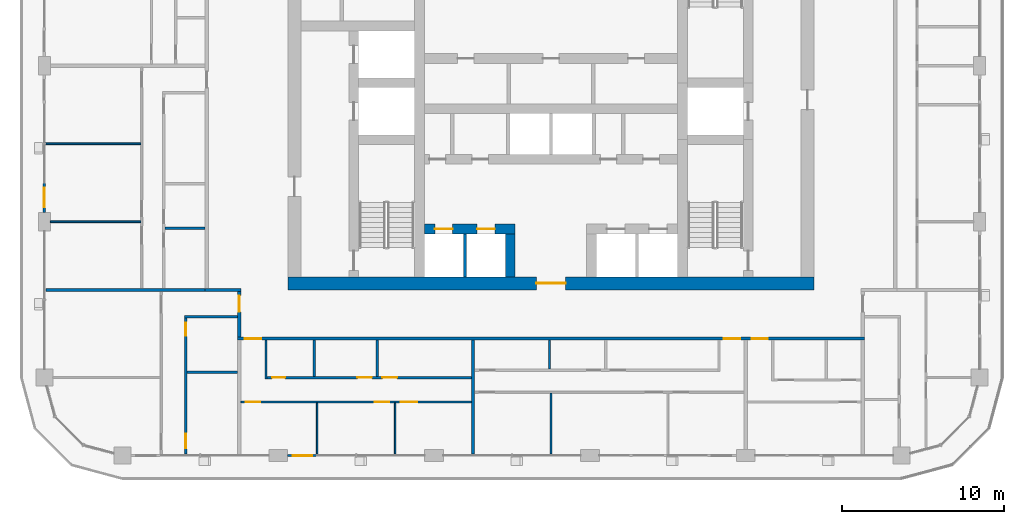
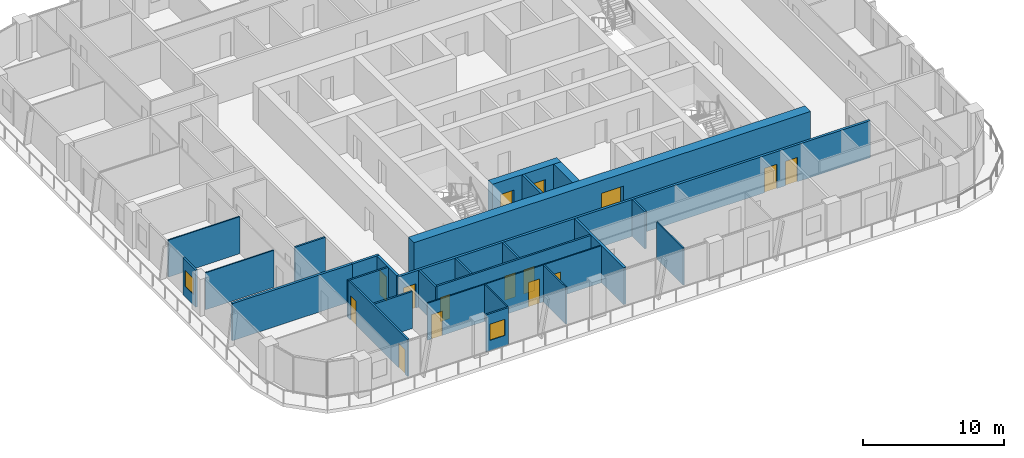
# One storey, part 9 of 22: 26 walls, 15 doors, 2 windows, 17 openings.
"""IFC4 building model written with IfcOpenShell, lengths in metres."""

import ifcopenshell
import ifcopenshell.guid

model = None  # the IFC model being written
_history = None  # IfcOwnerHistory: only IFC2X3 demands one
_inside = {}  # id of a spatial element -> (the spatial element, [elements in it])
_under = {}  # id of a project, library or spatial element -> (it, [spatial elements below it])
_declared = {}  # id of a project -> (the project, [libraries it declares])
_typed = {}  # id of a type object -> (the type object, [elements of that type])
_made_of = {}  # id of a material, layer set ... -> (it, [elements and type objects made of it])


def new_model(schema):
    """Start an empty IFC model of exactly this schema.

    Asked for "IFC4X3", IfcOpenShell would pick the latest addendum, in which some entities
    have other attributes; the version numbers below select the first issue.
    IFC2X3 requires an IfcOwnerHistory on every rooted entity: one is made here for all.
    """
    global model, _history
    if schema == "IFC4X3":
        model = ifcopenshell.file(schema_version=(4, 3, 0, 0))
    else:
        model = ifcopenshell.file(schema=schema)
    _inside.clear()
    _under.clear()
    _declared.clear()
    _typed.clear()
    _made_of.clear()
    _history = None
    if model.schema == "IFC2X3":
        org = make("IfcOrganization", Name="unknown")
        user = make(
            "IfcPersonAndOrganization",
            ThePerson=make("IfcPerson", FamilyName="unknown"),
            TheOrganization=org,
        )
        app = make(
            "IfcApplication",
            ApplicationDeveloper=org,
            Version="unknown",
            ApplicationFullName="unknown",
            ApplicationIdentifier="unknown",
        )
        _history = make(
            "IfcOwnerHistory",
            OwningUser=user,
            OwningApplication=app,
            ChangeAction="ADDED",
            CreationDate=0,
        )
    return model


def make(cls, **values):
    """One entity of the class cls with the attributes given. An attribute that is None is left unset."""
    return model.create_entity(
        cls, **{name: value for name, value in values.items() if value is not None}
    )


def rooted(cls, **values):
    """An entity with a GlobalId (a new one), such as an element, a storey or a relation."""
    return make(cls, GlobalId=ifcopenshell.guid.new(), OwnerHistory=_history, **values)


def si_unit(unit_type, name, prefix=None):
    """IfcSIUnit, for example si_unit("LENGTHUNIT", "METRE", prefix="MILLI")."""
    return make("IfcSIUnit", UnitType=unit_type, Prefix=prefix, Name=name)


def assignment(units):
    """IfcUnitAssignment: the units of a project."""
    return None if units is None else make("IfcUnitAssignment", Units=units)


def point(xyz):
    """IfcCartesianPoint."""
    return None if xyz is None else make("IfcCartesianPoint", Coordinates=xyz)


def direction(xyz):
    """IfcDirection."""
    return None if xyz is None else make("IfcDirection", DirectionRatios=xyz)


def frame(location, z_axis=None, x_axis=None):
    """IfcAxis2Placement3D, a coordinate frame: its origin and axes. An axis left out is left unset."""
    return make(
        "IfcAxis2Placement3D",
        Location=point(location),
        Axis=direction(z_axis),
        RefDirection=direction(x_axis),
    )


def frame_2d(location, x_axis=None):
    """IfcAxis2Placement2D, a coordinate frame in the plane: its origin and x axis."""
    return make(
        "IfcAxis2Placement2D", Location=point(location), RefDirection=direction(x_axis)
    )


def origin():
    """The frame at (0, 0, 0) with its axes left unset."""
    return frame((0.0, 0.0, 0.0))


def place(relative_to, where):
    """IfcLocalPlacement: puts the frame where relative to a parent placement (None: the world)."""
    return make(
        "IfcLocalPlacement", PlacementRelTo=relative_to, RelativePlacement=where
    )


def context(
    kind, dimensions, precision=None, world=None, true_north=None, identifier=None
):
    """IfcGeometricRepresentationContext, for example the 3D "Model" context."""
    return make(
        "IfcGeometricRepresentationContext",
        ContextIdentifier=identifier,
        ContextType=kind,
        CoordinateSpaceDimension=dimensions,
        Precision=precision,
        WorldCoordinateSystem=world,
        TrueNorth=true_north,
    )


def subcontext(parent, identifier, kind, view, scale=None):
    """IfcGeometricRepresentationSubContext, for example "Body" below "Model"."""
    return make(
        "IfcGeometricRepresentationSubContext",
        ContextIdentifier=identifier,
        ContextType=kind,
        ParentContext=parent,
        TargetScale=scale,
        TargetView=view,
    )


def project(units=None, contexts=None):
    """IfcProject with its units and contexts."""
    return rooted(
        "IfcProject",
        Name="project",
        RepresentationContexts=contexts,
        UnitsInContext=assignment(units),
    )


def spatial(cls, under=None, at=None, **own):
    """A site, building, storey or space (cls), placed at a placement, below another one or the project."""
    s = rooted(cls, ObjectPlacement=at, **own)
    if under is not None:
        _under.setdefault(under.id(), (under, []))[1].append(s)
    return s


def profile(cls, at=None, kind="AREA", **sizes):
    """A parametric profile (cls). Its sizes go by their IFC names, for example OverallWidth=200.0."""
    return make(cls, ProfileType=kind, Position=at, **sizes)


def rectangle(**sizes):
    """IfcRectangleProfileDef."""
    return profile("IfcRectangleProfileDef", **sizes)


def extrude(swept, where, along, depth):
    """IfcExtrudedAreaSolid: the profile swept, set in the frame where, extruded along a direction by depth."""
    return make(
        "IfcExtrudedAreaSolid",
        SweptArea=swept,
        Position=where,
        ExtrudedDirection=direction(along),
        Depth=depth,
    )


def shape(context_of_items, identifier, shape_type, items):
    """IfcShapeRepresentation: the items that make up one representation, for example the "Body"."""
    return make(
        "IfcShapeRepresentation",
        ContextOfItems=context_of_items,
        RepresentationIdentifier=identifier,
        RepresentationType=shape_type,
        Items=items,
    )


def material(Name=None, Category=None):
    """IfcMaterial."""
    return make("IfcMaterial", Name=Name, Category=Category)


def layer(
    of_material, thickness, ventilated=None, Name=None, Category=None, Priority=None
):
    """IfcMaterialLayer: one layer of a wall or slab, of a material (None: an air gap)."""
    return make(
        "IfcMaterialLayer",
        Material=of_material,
        LayerThickness=thickness,
        IsVentilated=ventilated,
        Name=Name,
        Category=Category,
        Priority=Priority,
    )


def layer_set(layers, Name=None):
    """IfcMaterialLayerSet."""
    return make("IfcMaterialLayerSet", MaterialLayers=layers, LayerSetName=Name)


def made_of(thing, what):
    """Note that an element or type object is made of a material, layer set ...; save() writes the relation."""
    if what is not None:
        _made_of.setdefault(what.id(), (what, []))[1].append(thing)
    return thing


def type_object(cls, material=None, **own):
    """A type object (cls), such as IfcWallType, which elements share."""
    return made_of(rooted(cls, **own), material)


def element(
    cls,
    number,
    at=None,
    inside=None,
    cuts=None,
    type_object=None,
    material=None,
    context=None,
    identifier="Body",
    shape_type=None,
    held_by="IfcProductDefinitionShape",
    body=None,
    shapes=None,
    **own,
):
    """One element of the class cls, such as IfcWall. Its Tag is "e" and its number.

    at: its placement. inside: the storey or other place that contains it. cuts: it is an
    opening in that element (IfcRelVoidsElement). A single representation is given by context,
    identifier, shape_type and body (its items); several are given by shapes. held_by: the class
    of the entity that holds the representations. save() writes the other relations.
    """
    e = rooted(cls, Tag="e%d" % number, ObjectPlacement=at, **own)
    if body is not None:
        shapes = [shape(context, identifier, shape_type, body)]
    if shapes is not None:
        e.Representation = make(held_by, Representations=shapes)
    if inside is not None:
        _inside.setdefault(inside.id(), (inside, []))[1].append(e)
    if cuts is not None:
        rooted(
            "IfcRelVoidsElement", RelatingBuildingElement=cuts, RelatedOpeningElement=e
        )
    if type_object is not None:
        _typed.setdefault(type_object.id(), (type_object, []))[1].append(e)
    return made_of(e, material)


def fill(opening, filler):
    """IfcRelFillsElement: the door or window that sits in an opening."""
    return rooted(
        "IfcRelFillsElement",
        RelatingOpeningElement=opening,
        RelatedBuildingElement=filler,
    )


def aggregate(whole, parts):
    """IfcRelAggregates: a whole, such as a stair, and the parts it consists of."""
    return rooted("IfcRelAggregates", RelatingObject=whole, RelatedObjects=parts)


def save(model, path):
    """Write the relations noted so far, then the file.

    IfcRelAggregates (storeys below a building ...), IfcRelContainedInSpatialStructure (elements
    in a storey), IfcRelDefinesByType, IfcRelAssociatesMaterial and IfcRelDeclares: one each for
    every whole, place, type object, material and project.
    """
    for whole, parts in _under.values():
        aggregate(whole, parts)
    for where, things in _inside.values():
        rooted(
            "IfcRelContainedInSpatialStructure",
            RelatedElements=things,
            RelatingStructure=where,
        )
    for kind, things in _typed.values():
        rooted("IfcRelDefinesByType", RelatedObjects=things, RelatingType=kind)
    for what, things in _made_of.values():
        rooted("IfcRelAssociatesMaterial", RelatedObjects=things, RelatingMaterial=what)
    for by, libraries in _declared.values():
        rooted("IfcRelDeclares", RelatingContext=by, RelatedDefinitions=libraries)
    model.write(path)


model = new_model("IFC4")

# Units and contexts
model_context = context("Model", 3, precision=1e-05, world=origin(), true_north=direction((0.0, 1.0)))
body_context = subcontext(model_context, "Body", "Model", "MODEL_VIEW")
ifc_project = project(units=[si_unit("LENGTHUNIT", "METRE"), si_unit("AREAUNIT", "SQUARE_METRE"), si_unit("VOLUMEUNIT", "CUBIC_METRE"), si_unit("PLANEANGLEUNIT", "RADIAN"), si_unit("MASSUNIT", "GRAM", prefix="KILO")], contexts=[model_context])

# Site, building, storey
site_placement = place(None, origin())
site = spatial("IfcSite", under=ifc_project, at=site_placement, CompositionType="ELEMENT")
building_placement = place(site_placement, origin())
building = spatial("IfcBuilding", under=site, at=building_placement, Name="Madar Terraces", CompositionType="ELEMENT")
storey_placement = place(building_placement, frame((0.0, 0.0, 122.60009765625)))
storey = spatial("IfcBuildingStorey", under=building, at=storey_placement, Name="L31", CompositionType="ELEMENT", Elevation=122.60009765625)

# Wall, openings, doors
ifc_material_1 = material(Name="Concrete C70/85", Category="concrete")
ifc_layer_1 = layer(ifc_material_1, 0.60009765625)
ifc_layer_set_1 = layer_set([ifc_layer_1], Name="Concrete C70/85 (CIW3 RC wall 600)")
wall_type_1 = type_object("IfcWallType", Name="CIW3 RC wall 600", PredefinedType="SHEAR", material=ifc_layer_set_1)
wall_1_placement = place(storey_placement, frame((23.39990234375, 18.75, 0.0), z_axis=(0.0, 0.0, 1.0), x_axis=(1.0, 0.0, 0.0)))
wall_1 = element("IfcWall", 1, at=wall_1_placement, inside=storey, type_object=wall_type_1, Name="CORE SHAFT WALL", PredefinedType="SHEAR", context=body_context, shape_type="SweptSolid", body=[
    extrude(rectangle(XDim=5.60009765625, YDim=0.60009765625, at=frame_2d((2.800048828125, 0.0))), origin(), (0.0, 0.0, 1.0), 3.199951171875),
])
opening_1_placement = place(wall_1_placement, frame((0.64990234375, 0.0, 0.0)))
opening_1 = element("IfcOpeningElement", 2, at=opening_1_placement, cuts=wall_1, Name="Opening LD", PredefinedType="OPENING", context=body_context, shape_type="SweptSolid", body=[
    extrude(rectangle(XDim=1.10009765625, YDim=2.10009765625, at=frame_2d((0.550048828125, 1.050048828125))), frame((0.0, 0.31005859375, 0.0), z_axis=(0.0, -1.0, 0.0), x_axis=(1.0, 0.0, 0.0)), (0.0, 0.0, 1.0), 0.6201171875),
])
opening_2_placement = place(wall_1_placement, frame((3.25, 0.0, 0.0)))
opening_2 = element("IfcOpeningElement", 3, at=opening_2_placement, cuts=wall_1, Name="Opening LD", PredefinedType="OPENING", context=body_context, shape_type="SweptSolid", body=[
    extrude(rectangle(XDim=1.10009765625, YDim=2.10009765625, at=frame_2d((0.550048828125, 1.050048828125))), frame((0.0, 0.31005859375, 0.0), z_axis=(0.0, -1.0, 0.0), x_axis=(1.0, 0.0, 0.0)), (0.0, 0.0, 1.0), 0.6201171875),
])
ifc_material_2 = material(Name="Stainless steel panel", Category="steel")
door_type_1 = type_object("IfcDoorType", Name="Lift landing door 1100 x 2100", OperationType="DOUBLE_DOOR_SLIDING", PredefinedType="DOOR", material=ifc_material_2)
door_1_placement = place(opening_1_placement, origin())
door_1 = element("IfcDoor", 4, at=door_1_placement, inside=storey, type_object=door_type_1, Name="LIFT LANDING DOOR", OperationType="DOUBLE_DOOR_SLIDING", OverallHeight=2.10009765625, OverallWidth=1.10009765625, PredefinedType="DOOR", context=body_context, shape_type="SweptSolid", body=[
    extrude(rectangle(XDim=1.10009765625, YDim=2.10009765625, at=frame_2d((0.550048828125, 1.050048828125))), frame((0.0, 0.02490234375, 0.0), z_axis=(0.0, -1.0, 0.0), x_axis=(1.0, 0.0, 0.0)), (0.0, 0.0, 1.0), 0.050048828125),
])
fill(opening_1, door_1)
door_2_placement = place(opening_2_placement, origin())
door_2 = element("IfcDoor", 5, at=door_2_placement, inside=storey, type_object=door_type_1, Name="LIFT LANDING DOOR", OperationType="DOUBLE_DOOR_SLIDING", OverallHeight=2.10009765625, OverallWidth=1.10009765625, PredefinedType="DOOR", context=body_context, shape_type="SweptSolid", body=[
    extrude(rectangle(XDim=1.10009765625, YDim=2.10009765625, at=frame_2d((0.550048828125, 1.050048828125))), frame((0.0, 0.02490234375, 0.0), z_axis=(0.0, -1.0, 0.0), x_axis=(1.0, 0.0, 0.0)), (0.0, 0.0, 1.0), 0.050048828125),
])
fill(opening_2, door_2)

# Wall
wall_2_placement = place(storey_placement, frame((28.699951171875, 15.800048828125, 0.0), z_axis=(0.0, 0.0, 1.0), x_axis=(0.0, 1.0, 0.0)))
element("IfcWall", 6, at=wall_2_placement, inside=storey, type_object=wall_type_1, Name="CORE SHAFT WALL", PredefinedType="SHEAR", context=body_context, shape_type="SweptSolid", body=[
    extrude(rectangle(XDim=2.64990234375, YDim=0.60009765625, at=frame_2d((1.324951171875, 0.0))), origin(), (0.0, 0.0, 1.0), 3.199951171875),
])

# Wall, opening, door
ifc_material_3 = material(Name="Concrete C70/85", Category="concrete")
ifc_layer_2 = layer(ifc_material_3, 0.800048828125)
ifc_layer_set_2 = layer_set([ifc_layer_2], Name="Concrete C70/85 (CRW3 RC wall 800)")
wall_type_2 = type_object("IfcWallType", Name="CRW3 RC wall 800", PredefinedType="SHEAR", material=ifc_layer_set_2)
wall_3_placement = place(storey_placement, frame((15.0, 15.39990234375, 0.0), z_axis=(0.0, 0.0, 1.0), x_axis=(1.0, 0.0, 0.0)))
wall_3 = element("IfcWall", 7, at=wall_3_placement, inside=storey, type_object=wall_type_2, Name="CORE OUTER WALL", PredefinedType="SHEAR", context=body_context, shape_type="SweptSolid", body=[
    extrude(rectangle(XDim=32.39990234375, YDim=0.800048828125, at=frame_2d((16.199951171875, 0.0))), origin(), (0.0, 0.0, 1.0), 3.199951171875),
])
opening_3_placement = place(wall_3_placement, frame((15.300048828125, 0.0, 0.0)))
opening_3 = element("IfcOpeningElement", 8, at=opening_3_placement, cuts=wall_3, Name="Opening KD1", PredefinedType="OPENING", context=body_context, shape_type="SweptSolid", body=[
    extrude(rectangle(XDim=1.800048828125, YDim=2.10009765625, at=frame_2d((0.89990234375, 1.050048828125))), frame((0.0, 0.409912109375, 0.0), z_axis=(0.0, -1.0, 0.0), x_axis=(1.0, 0.0, 0.0)), (0.0, 0.0, 1.0), 0.820068359375),
])
ifc_material_4 = material(Name="Steel door leaf", Category="steel")
door_type_2 = type_object("IfcDoorType", Name="Lobby door pair 1800 x 2100", OperationType="DOUBLE_DOOR_SINGLE_SWING", PredefinedType="DOOR", material=ifc_material_4)
door_3_placement = place(opening_3_placement, frame((1.800048828125, 0.0, 0.0), z_axis=(0.0, 0.0, 1.0), x_axis=(-1.0, 0.0, 0.0)))
door_3 = element("IfcDoor", 9, at=door_3_placement, inside=storey, type_object=door_type_2, Name="LIFT LOBBY DOOR", OperationType="DOUBLE_DOOR_SINGLE_SWING", OverallHeight=2.10009765625, OverallWidth=1.800048828125, PredefinedType="DOOR", context=body_context, shape_type="SweptSolid", body=[
    extrude(rectangle(XDim=1.800048828125, YDim=2.10009765625, at=frame_2d((0.89990234375, 1.050048828125))), frame((0.0, 0.02490234375, 0.0), z_axis=(0.0, -1.0, 0.0), x_axis=(1.0, 0.0, 0.0)), (0.0, 0.0, 1.0), 0.050048828125),
])
fill(opening_3, door_3)

# Wall
ifc_material_5 = material(Name="Concrete C40/50", Category="concrete")
ifc_layer_3 = layer(ifc_material_5, 0.199951171875)
ifc_layer_set_3 = layer_set([ifc_layer_3], Name="Core shaft dividing wall 200 C40/50")
wall_type_3 = type_object("IfcWallType", Name="Core shaft dividing wall 200 C40/50", PredefinedType="SOLIDWALL", material=ifc_layer_set_3)
wall_4_placement = place(storey_placement, frame((25.89990234375, 15.800048828125, 0.0), z_axis=(0.0, 0.0, 1.0), x_axis=(0.0, 1.0, 0.0)))
element("IfcWall", 10, at=wall_4_placement, inside=storey, type_object=wall_type_3, Name="SHAFT DIVIDING WALL", PredefinedType="SOLIDWALL", context=body_context, shape_type="SweptSolid", body=[
    extrude(rectangle(XDim=2.64990234375, YDim=0.199951171875, at=frame_2d((1.324951171875, 0.0))), origin(), (0.0, 0.0, 1.0), 3.199951171875),
])

# Wall, opening, window
ifc_material_6 = material(Name="Aluminium composite panel, black, over insulated backing", Category="aluminium")
ifc_layer_4 = layer(ifc_material_6, 0.14990234375)
ifc_layer_set_4 = layer_set([ifc_layer_4], Name="Facade bay panel 150")
wall_type_4 = type_object("IfcWallType", Name="Facade bay panel 150", PredefinedType="SOLIDWALL", material=ifc_layer_set_4)
wall_5_placement = place(storey_placement, frame((14.97509765625, 4.800048828125, 0.0), z_axis=(0.0, 0.0, 1.0), x_axis=(1.0, 0.0, 0.0)))
wall_5 = element("IfcWall", 11, at=wall_5_placement, inside=storey, type_object=wall_type_4, Name="Facade bay panel", PredefinedType="SOLIDWALL", context=body_context, shape_type="SweptSolid", body=[
    extrude(rectangle(XDim=1.824951171875, YDim=0.14990234375, at=frame_2d((0.91259765625, 0.0))), origin(), (0.0, 0.0, 1.0), 3.199951171875),
])
opening_4_placement = place(wall_5_placement, frame((0.3125, 0.0, 0.89990234375)))
opening_4 = element("IfcOpeningElement", 12, at=opening_4_placement, cuts=wall_5, Name="Opening W1", PredefinedType="OPENING", context=body_context, shape_type="SweptSolid", body=[
    extrude(rectangle(XDim=1.199951171875, YDim=1.39990234375, at=frame_2d((0.60009765625, 0.699951171875))), frame((0.0, 0.0849609375, 0.0), z_axis=(0.0, -1.0, 0.0), x_axis=(1.0, 0.0, 0.0)), (0.0, 0.0, 1.0), 0.169921875),
])
ifc_material_7 = material(Name="Glass, clear, with black aluminium frame", Category="aluminium")
window_type = type_object("IfcWindowType", Name="Vent window 1200 x 1400", PartitioningType="SINGLE_PANEL", PredefinedType="WINDOW", material=ifc_material_7)
window_1_placement = place(opening_4_placement, origin())
window_1 = element("IfcWindow", 13, at=window_1_placement, inside=storey, type_object=window_type, Name="Operable vent window", OverallHeight=1.39990234375, OverallWidth=1.199951171875, PartitioningType="SINGLE_PANEL", PredefinedType="WINDOW", context=body_context, shape_type="SweptSolid", body=[
    extrude(rectangle(XDim=1.199951171875, YDim=1.39990234375, at=frame_2d((0.60009765625, 0.699951171875))), frame((0.0, 0.030029296875, 0.0), z_axis=(0.0, -1.0, 0.0), x_axis=(1.0, 0.0, 0.0)), (0.0, 0.0, 1.0), 0.06005859375),
])
fill(opening_4, window_1)

wall_6_placement = place(storey_placement, frame((0.0, 21.60009765625, 0.0), z_axis=(0.0, 0.0, 1.0), x_axis=(0.0, -1.0, 0.0)))
wall_6 = element("IfcWall", 14, at=wall_6_placement, inside=storey, type_object=wall_type_4, Name="Facade bay panel", PredefinedType="SOLIDWALL", context=body_context, shape_type="SweptSolid", body=[
    extrude(rectangle(XDim=1.8251953125, YDim=0.14990234375, at=frame_2d((0.91259765625, 0.0))), origin(), (0.0, 0.0, 1.0), 3.199951171875),
])
opening_5_placement = place(wall_6_placement, frame((0.3125, 0.0, 0.89990234375)))
opening_5 = element("IfcOpeningElement", 15, at=opening_5_placement, cuts=wall_6, Name="Opening W1", PredefinedType="OPENING", context=body_context, shape_type="SweptSolid", body=[
    extrude(rectangle(XDim=1.199951171875, YDim=1.39990234375, at=frame_2d((0.60009765625, 0.699951171875))), frame((0.0, 0.0849609375, 0.0), z_axis=(0.0, -1.0, 0.0), x_axis=(1.0, 0.0, 0.0)), (0.0, 0.0, 1.0), 0.169921875),
])
window_2_placement = place(opening_5_placement, origin())
window_2 = element("IfcWindow", 16, at=window_2_placement, inside=storey, type_object=window_type, Name="Operable vent window", OverallHeight=1.39990234375, OverallWidth=1.199951171875, PartitioningType="SINGLE_PANEL", PredefinedType="WINDOW", context=body_context, shape_type="SweptSolid", body=[
    extrude(rectangle(XDim=1.199951171875, YDim=1.39990234375, at=frame_2d((0.60009765625, 0.699951171875))), frame((0.0, 0.030029296875, 0.0), z_axis=(0.0, -1.0, 0.0), x_axis=(1.0, 0.0, 0.0)), (0.0, 0.0, 1.0), 0.06005859375),
])
fill(opening_5, window_2)

# Walls
ifc_material_8 = material(Name="Gypsum board on steel studs", Category="steel")
ifc_layer_5 = layer(ifc_material_8, 0.10009765625)
ifc_layer_set_5 = layer_set([ifc_layer_5], Name="Flat partition 100")
wall_type_5 = type_object("IfcWallType", Name="Flat partition 100", PredefinedType="PARTITIONING", material=ifc_layer_set_5)
for number, where, z_axis, x_axis, name in (
    (17, (16.800048828125, 8.050048828125, 0.0), (0.0, 0.0, 1.0), (0.0, -1.0, 0.0), "Flat partition 100"),
    (18, (21.60009765625, 8.050048828125, 0.0), (0.0, 0.0, 1.0), (0.0, -1.0, 0.0), "Flat partition 100"),
):
    element("IfcWall", number, at=place(storey_placement, frame(where, z_axis=z_axis, x_axis=x_axis)), inside=storey, type_object=wall_type_5, Name=name, PredefinedType="PARTITIONING", context=body_context, shape_type="SweptSolid", body=[
        extrude(rectangle(XDim=3.150146484375, YDim=0.10009765625, at=frame_2d((1.5751953125, 0.0))), origin(), (0.0, 0.0, 1.0), 3.199951171875),
    ])

# Wall, openings, doors
wall_7_placement = place(storey_placement, frame((26.300048828125, 8.10009765625, 0.0), z_axis=(0.0, 0.0, 1.0), x_axis=(-1.0, 0.0, 0.0)))
wall_7 = element("IfcWall", 19, at=wall_7_placement, inside=storey, type_object=wall_type_5, Name="Flat partition 100", PredefinedType="PARTITIONING", context=body_context, shape_type="SweptSolid", body=[
    extrude(rectangle(XDim=14.199951171875, YDim=0.10009765625, at=frame_2d((7.10009765625, 0.0))), origin(), (0.0, 0.0, 1.0), 3.199951171875),
])
opening_6_placement = place(wall_7_placement, frame((13.0, 0.0, 0.0)))
opening_6 = element("IfcOpeningElement", 20, at=opening_6_placement, cuts=wall_7, Name="Opening D2", PredefinedType="OPENING", context=body_context, shape_type="SweptSolid", body=[
    extrude(rectangle(XDim=0.89990234375, YDim=2.10009765625, at=frame_2d((0.449951171875, 1.050048828125))), frame((0.0, 0.06005859375, 0.0), z_axis=(0.0, -1.0, 0.0), x_axis=(1.0, 0.0, 0.0)), (0.0, 0.0, 1.0), 0.1201171875),
])
opening_7_placement = place(wall_7_placement, frame((5.050048828125, 0.0, 0.0)))
opening_7 = element("IfcOpeningElement", 21, at=opening_7_placement, cuts=wall_7, Name="Opening D2", PredefinedType="OPENING", context=body_context, shape_type="SweptSolid", body=[
    extrude(rectangle(XDim=0.89990234375, YDim=2.10009765625, at=frame_2d((0.449951171875, 1.050048828125))), frame((0.0, 0.06005859375, 0.0), z_axis=(0.0, -1.0, 0.0), x_axis=(1.0, 0.0, 0.0)), (0.0, 0.0, 1.0), 0.1201171875),
])
opening_8_placement = place(wall_7_placement, frame((3.35009765625, 0.0, 0.0)))
opening_8 = element("IfcOpeningElement", 22, at=opening_8_placement, cuts=wall_7, Name="Opening D3", PredefinedType="OPENING", context=body_context, shape_type="SweptSolid", body=[
    extrude(rectangle(XDim=1.0, YDim=2.10009765625, at=frame_2d((0.5, 1.050048828125))), frame((0.0, 0.06005859375, 0.0), z_axis=(0.0, -1.0, 0.0), x_axis=(1.0, 0.0, 0.0)), (0.0, 0.0, 1.0), 0.1201171875),
])
ifc_material_9 = material(Name="Timber door leaf", Category="wood")
door_type_3 = type_object("IfcDoorType", Name="Flat living room door 1000", OperationType="NOTDEFINED", PredefinedType="DOOR", material=ifc_material_9)
door_4_placement = place(opening_8_placement, origin())
door_4 = element("IfcDoor", 23, at=door_4_placement, inside=storey, type_object=door_type_3, Name="Flat living room door 1000", OperationType="SINGLE_SWING_RIGHT", OverallHeight=2.10009765625, OverallWidth=1.0, PredefinedType="DOOR", context=body_context, shape_type="SweptSolid", body=[
    extrude(rectangle(XDim=1.0, YDim=2.10009765625, at=frame_2d((0.5, 1.050048828125))), frame((0.0, 0.02490234375, 0.0), z_axis=(0.0, -1.0, 0.0), x_axis=(1.0, 0.0, 0.0)), (0.0, 0.0, 1.0), 0.050048828125),
])
fill(opening_8, door_4)
ifc_material_10 = material(Name="Timber door leaf", Category="wood")
door_type_4 = type_object("IfcDoorType", Name="Flat room door 900", OperationType="NOTDEFINED", PredefinedType="DOOR", material=ifc_material_10)
door_5_placement = place(opening_6_placement, origin())
door_5 = element("IfcDoor", 24, at=door_5_placement, inside=storey, type_object=door_type_4, Name="Flat room door 900", OperationType="SINGLE_SWING_RIGHT", OverallHeight=2.10009765625, OverallWidth=0.89990234375, PredefinedType="DOOR", context=body_context, shape_type="SweptSolid", body=[
    extrude(rectangle(XDim=0.89990234375, YDim=2.10009765625, at=frame_2d((0.449951171875, 1.050048828125))), frame((0.0, 0.02490234375, 0.0), z_axis=(0.0, -1.0, 0.0), x_axis=(1.0, 0.0, 0.0)), (0.0, 0.0, 1.0), 0.050048828125),
])
fill(opening_6, door_5)
door_6_placement = place(opening_7_placement, origin())
door_6 = element("IfcDoor", 25, at=door_6_placement, inside=storey, type_object=door_type_4, Name="Flat room door 900", OperationType="SINGLE_SWING_LEFT", OverallHeight=2.10009765625, OverallWidth=0.89990234375, PredefinedType="DOOR", context=body_context, shape_type="SweptSolid", body=[
    extrude(rectangle(XDim=0.89990234375, YDim=2.10009765625, at=frame_2d((0.449951171875, 1.050048828125))), frame((0.0, 0.02490234375, 0.0), z_axis=(0.0, -1.0, 0.0), x_axis=(1.0, 0.0, 0.0)), (0.0, 0.0, 1.0), 0.050048828125),
])
fill(opening_7, door_6)

# Walls
wall_8_placement = place(storey_placement, frame((31.199951171875, 8.64990234375, 0.0), z_axis=(0.0, 0.0, 1.0), x_axis=(0.0, -1.0, 0.0)))
element("IfcWall", 26, at=wall_8_placement, inside=storey, type_object=wall_type_5, Name="Flat partition 100", PredefinedType="PARTITIONING", context=body_context, shape_type="SweptSolid", body=[
    extrude(rectangle(XDim=3.75, YDim=0.10009765625, at=frame_2d((1.875, 0.0))), origin(), (0.0, 0.0, 1.0), 3.199951171875),
])
wall_9_placement = place(storey_placement, frame((5.949951171875, 24.0, 0.0), z_axis=(0.0, 0.0, 1.0), x_axis=(-1.0, 0.0, 0.0)))
element("IfcWall", 27, at=wall_9_placement, inside=storey, type_object=wall_type_5, Name="Flat partition 100", PredefinedType="PARTITIONING", context=body_context, shape_type="SweptSolid", body=[
    extrude(rectangle(XDim=5.849853515625, YDim=0.10009765625, at=frame_2d((2.9248046875, 0.0))), origin(), (0.0, 0.0, 1.0), 3.199951171875),
])
wall_10_placement = place(storey_placement, frame((5.949951171875, 19.199951171875, 0.0), z_axis=(0.0, 0.0, 1.0), x_axis=(-1.0, 0.0, 0.0)))
element("IfcWall", 28, at=wall_10_placement, inside=storey, type_object=wall_type_5, Name="Flat partition 100", PredefinedType="PARTITIONING", context=body_context, shape_type="SweptSolid", body=[
    extrude(rectangle(XDim=5.574951171875, YDim=0.10009765625, at=frame_2d((2.78759765625, 0.0))), origin(), (0.0, 0.0, 1.0), 3.199951171875),
])

# Wall, openings, doors
ifc_material_11 = material(Name="Lightweight blockwork", Category="masonry")
ifc_layer_6 = layer(ifc_material_11, 0.199951171875)
ifc_layer_set_6 = layer_set([ifc_layer_6], Name="Flat party and entrance wall 200")
wall_type_6 = type_object("IfcWallType", Name="Flat party and entrance wall 200", PredefinedType="PARTITIONING", material=ifc_layer_set_6)
wall_11_placement = place(storey_placement, frame((50.5, 12.0, 0.0), z_axis=(0.0, 0.0, 1.0), x_axis=(-1.0, 0.0, 0.0)))
wall_11 = element("IfcWall", 29, at=wall_11_placement, inside=storey, type_object=wall_type_6, Name="Flat party and entrance wall 200", PredefinedType="PARTITIONING", context=body_context, shape_type="SweptSolid", body=[
    extrude(rectangle(XDim=38.60009765625, YDim=0.199951171875, at=frame_2d((19.300048828125, 0.0))), origin(), (0.0, 0.0, 1.0), 3.199951171875),
])
opening_9_placement = place(wall_11_placement, frame((37.14990234375, 0.0, 0.0)))
opening_9 = element("IfcOpeningElement", 30, at=opening_9_placement, cuts=wall_11, Name="Opening D1", PredefinedType="OPENING", context=body_context, shape_type="SweptSolid", body=[
    extrude(rectangle(XDim=1.0, YDim=2.10009765625, at=frame_2d((0.5, 1.050048828125))), frame((0.0, 0.10986328125, 0.0), z_axis=(0.0, -1.0, 0.0), x_axis=(1.0, 0.0, 0.0)), (0.0, 0.0, 1.0), 0.219970703125),
])
opening_10_placement = place(wall_11_placement, frame((7.64990234375, 0.0, 0.0)))
opening_10 = element("IfcOpeningElement", 31, at=opening_10_placement, cuts=wall_11, Name="Opening D1", PredefinedType="OPENING", context=body_context, shape_type="SweptSolid", body=[
    extrude(rectangle(XDim=1.0, YDim=2.10009765625, at=frame_2d((0.5, 1.050048828125))), frame((0.0, 0.10986328125, 0.0), z_axis=(0.0, -1.0, 0.0), x_axis=(1.0, 0.0, 0.0)), (0.0, 0.0, 1.0), 0.219970703125),
])
opening_11_placement = place(wall_11_placement, frame((5.949951171875, 0.0, 0.0)))
opening_11 = element("IfcOpeningElement", 32, at=opening_11_placement, cuts=wall_11, Name="Opening D1", PredefinedType="OPENING", context=body_context, shape_type="SweptSolid", body=[
    extrude(rectangle(XDim=1.0, YDim=2.10009765625, at=frame_2d((0.5, 1.050048828125))), frame((0.0, 0.10986328125, 0.0), z_axis=(0.0, -1.0, 0.0), x_axis=(1.0, 0.0, 0.0)), (0.0, 0.0, 1.0), 0.219970703125),
])
ifc_material_12 = material(Name="Timber fire door leaf", Category="wood")
door_type_5 = type_object("IfcDoorType", Name="Flat entrance door 1000 FD30S", OperationType="NOTDEFINED", PredefinedType="DOOR", material=ifc_material_12)
door_7_placement = place(opening_9_placement, origin())
door_7 = element("IfcDoor", 33, at=door_7_placement, inside=storey, type_object=door_type_5, Name="Flat entrance door 1000 FD30S", OperationType="SINGLE_SWING_RIGHT", OverallHeight=2.10009765625, OverallWidth=1.0, PredefinedType="DOOR", context=body_context, shape_type="SweptSolid", body=[
    extrude(rectangle(XDim=1.0, YDim=2.10009765625, at=frame_2d((0.5, 1.050048828125))), frame((0.0, 0.02490234375, 0.0), z_axis=(0.0, -1.0, 0.0), x_axis=(1.0, 0.0, 0.0)), (0.0, 0.0, 1.0), 0.050048828125),
])
fill(opening_9, door_7)
door_8_placement = place(opening_10_placement, origin())
door_8 = element("IfcDoor", 34, at=door_8_placement, inside=storey, type_object=door_type_5, Name="Flat entrance door 1000 FD30S", OperationType="SINGLE_SWING_LEFT", OverallHeight=2.10009765625, OverallWidth=1.0, PredefinedType="DOOR", context=body_context, shape_type="SweptSolid", body=[
    extrude(rectangle(XDim=1.0, YDim=2.10009765625, at=frame_2d((0.5, 1.050048828125))), frame((0.0, 0.02490234375, 0.0), z_axis=(0.0, -1.0, 0.0), x_axis=(1.0, 0.0, 0.0)), (0.0, 0.0, 1.0), 0.050048828125),
])
fill(opening_10, door_8)
door_9_placement = place(opening_11_placement, origin())
door_9 = element("IfcDoor", 35, at=door_9_placement, inside=storey, type_object=door_type_5, Name="Flat entrance door 1000 FD30S", OperationType="SINGLE_SWING_RIGHT", OverallHeight=2.10009765625, OverallWidth=1.0, PredefinedType="DOOR", context=body_context, shape_type="SweptSolid", body=[
    extrude(rectangle(XDim=1.0, YDim=2.10009765625, at=frame_2d((0.5, 1.050048828125))), frame((0.0, 0.02490234375, 0.0), z_axis=(0.0, -1.0, 0.0), x_axis=(1.0, 0.0, 0.0)), (0.0, 0.0, 1.0), 0.050048828125),
])
fill(opening_11, door_9)

# Wall
wall_12_placement = place(storey_placement, frame((9.89990234375, 15.0, 0.0), z_axis=(0.0, 0.0, 1.0), x_axis=(1.0, 0.0, 0.0)))
element("IfcWall", 36, at=wall_12_placement, inside=storey, type_object=wall_type_6, Name="Flat party and entrance wall 200", PredefinedType="PARTITIONING", context=body_context, shape_type="SweptSolid", body=[
    extrude(rectangle(XDim=2.2001953125, YDim=0.199951171875, at=frame_2d((1.10009765625, 0.0))), origin(), (0.0, 0.0, 1.0), 3.199951171875),
])

# Wall, opening, door
wall_13_placement = place(storey_placement, frame((12.0, 12.10009765625, 0.0), z_axis=(0.0, 0.0, 1.0), x_axis=(0.0, 1.0, 0.0)))
wall_13 = element("IfcWall", 37, at=wall_13_placement, inside=storey, type_object=wall_type_6, Name="Flat party and entrance wall 200", PredefinedType="PARTITIONING", context=body_context, shape_type="SweptSolid", body=[
    extrude(rectangle(XDim=2.7998046875, YDim=0.199951171875, at=frame_2d((1.39990234375, 0.0))), origin(), (0.0, 0.0, 1.0), 3.199951171875),
])
opening_12_placement = place(wall_13_placement, frame((1.550048828125, 0.0, 0.0)))
opening_12 = element("IfcOpeningElement", 38, at=opening_12_placement, cuts=wall_13, Name="Opening D1", PredefinedType="OPENING", context=body_context, shape_type="SweptSolid", body=[
    extrude(rectangle(XDim=1.0, YDim=2.10009765625, at=frame_2d((0.5, 1.050048828125))), frame((0.0, 0.10986328125, 0.0), z_axis=(0.0, -1.0, 0.0), x_axis=(1.0, 0.0, 0.0)), (0.0, 0.0, 1.0), 0.219970703125),
])
door_10_placement = place(opening_12_placement, origin())
door_10 = element("IfcDoor", 39, at=door_10_placement, inside=storey, type_object=door_type_5, Name="Flat entrance door 1000 FD30S", OperationType="SINGLE_SWING_RIGHT", OverallHeight=2.10009765625, OverallWidth=1.0, PredefinedType="DOOR", context=body_context, shape_type="SweptSolid", body=[
    extrude(rectangle(XDim=1.0, YDim=2.10009765625, at=frame_2d((0.5, 1.050048828125))), frame((0.0, 0.02490234375, 0.0), z_axis=(0.0, -1.0, 0.0), x_axis=(1.0, 0.0, 0.0)), (0.0, 0.0, 1.0), 0.050048828125),
])
fill(opening_12, door_10)

# Walls
wall_14_placement = place(storey_placement, frame((26.39990234375, 11.89990234375, 0.0), z_axis=(0.0, 0.0, 1.0), x_axis=(0.0, -1.0, 0.0)))
element("IfcWall", 40, at=wall_14_placement, inside=storey, type_object=wall_type_6, Name="Flat party and entrance wall 200", PredefinedType="PARTITIONING", context=body_context, shape_type="SweptSolid", body=[
    extrude(rectangle(XDim=7.0, YDim=0.199951171875, at=frame_2d((3.5, 0.0))), origin(), (0.0, 0.0, 1.0), 3.199951171875),
])
wall_15_placement = place(storey_placement, frame((0.10009765625, 15.0, 0.0), z_axis=(0.0, 0.0, 1.0), x_axis=(1.0, 0.0, 0.0)))
element("IfcWall", 41, at=wall_15_placement, inside=storey, type_object=wall_type_6, Name="Flat party and entrance wall 200", PredefinedType="PARTITIONING", context=body_context, shape_type="SweptSolid", body=[
    extrude(rectangle(XDim=9.7998046875, YDim=0.199951171875, at=frame_2d((4.89990234375, 0.0))), origin(), (0.0, 0.0, 1.0), 3.199951171875),
])
ifc_material_13 = material(Name="Lightweight blockwork", Category="masonry")
ifc_layer_7 = layer(ifc_material_13, 0.14990234375)
ifc_layer_set_7 = layer_set([ifc_layer_7], Name="Flat wet-room partition 150")
wall_type_7 = type_object("IfcWallType", Name="Flat wet-room partition 150", PredefinedType="PARTITIONING", material=ifc_layer_set_7)
for number, where, z_axis, x_axis, name in (
    (42, (16.626953125, 11.89990234375, 0.0), (0.0, 0.0, 1.0), (0.0, -1.0, 0.0), "Flat wet-room partition 150"),
    (43, (20.49609375, 11.89990234375, 0.0), (0.0, 0.0, 1.0), (0.0, -1.0, 0.0), "Flat wet-room partition 150"),
):
    element("IfcWall", number, at=place(storey_placement, frame(where, z_axis=z_axis, x_axis=x_axis)), inside=storey, type_object=wall_type_7, Name=name, PredefinedType="PARTITIONING", context=body_context, shape_type="SweptSolid", body=[
        extrude(rectangle(XDim=2.224853515625, YDim=0.14990234375, at=frame_2d((1.1123046875, 0.0))), origin(), (0.0, 0.0, 1.0), 3.199951171875),
    ])
wall_16_placement = place(storey_placement, frame((13.64990234375, 11.89990234375, 0.0), z_axis=(0.0, 0.0, 1.0), x_axis=(0.0, -1.0, 0.0)))
element("IfcWall", 44, at=wall_16_placement, inside=storey, type_object=wall_type_7, Name="Flat wet-room partition 150", PredefinedType="PARTITIONING", context=body_context, shape_type="SweptSolid", body=[
    extrude(rectangle(XDim=2.375, YDim=0.14990234375, at=frame_2d((1.1875, 0.0))), origin(), (0.0, 0.0, 1.0), 3.199951171875),
])

# Wall, openings, doors
wall_17_placement = place(storey_placement, frame((13.72509765625, 9.60009765625, 0.0), z_axis=(0.0, 0.0, 1.0), x_axis=(1.0, 0.0, 0.0)))
wall_17 = element("IfcWall", 45, at=wall_17_placement, inside=storey, type_object=wall_type_7, Name="Flat wet-room partition 150", PredefinedType="PARTITIONING", context=body_context, shape_type="SweptSolid", body=[
    extrude(rectangle(XDim=12.574951171875, YDim=0.14990234375, at=frame_2d((6.28759765625, 0.0))), origin(), (0.0, 0.0, 1.0), 3.199951171875),
])
opening_13_placement = place(wall_17_placement, frame((0.300048828125, 0.0, 0.0)))
opening_13 = element("IfcOpeningElement", 46, at=opening_13_placement, cuts=wall_17, Name="Opening D4", PredefinedType="OPENING", context=body_context, shape_type="SweptSolid", body=[
    extrude(rectangle(XDim=0.800048828125, YDim=2.10009765625, at=frame_2d((0.39990234375, 1.050048828125))), frame((0.0, 0.0849609375, 0.0), z_axis=(0.0, -1.0, 0.0), x_axis=(1.0, 0.0, 0.0)), (0.0, 0.0, 1.0), 0.169921875),
])
opening_14_placement = place(wall_17_placement, frame((5.546142578125, 0.0, 0.0)))
opening_14 = element("IfcOpeningElement", 47, at=opening_14_placement, cuts=wall_17, Name="Opening D5", PredefinedType="OPENING", context=body_context, shape_type="SweptSolid", body=[
    extrude(rectangle(XDim=0.89990234375, YDim=2.10009765625, at=frame_2d((0.449951171875, 1.050048828125))), frame((0.0, 0.0849609375, 0.0), z_axis=(0.0, -1.0, 0.0), x_axis=(1.0, 0.0, 0.0)), (0.0, 0.0, 1.0), 0.169921875),
])
opening_15_placement = place(wall_17_placement, frame((7.09619140625, 0.0, 0.0)))
opening_15 = element("IfcOpeningElement", 48, at=opening_15_placement, cuts=wall_17, Name="Opening D2", PredefinedType="OPENING", context=body_context, shape_type="SweptSolid", body=[
    extrude(rectangle(XDim=0.89990234375, YDim=2.10009765625, at=frame_2d((0.449951171875, 1.050048828125))), frame((0.0, 0.0849609375, 0.0), z_axis=(0.0, -1.0, 0.0), x_axis=(1.0, 0.0, 0.0)), (0.0, 0.0, 1.0), 0.169921875),
])
ifc_material_14 = material(Name="Timber door leaf", Category="wood")
door_type_6 = type_object("IfcDoorType", Name="Flat accessible bathroom door 900", OperationType="NOTDEFINED", PredefinedType="DOOR", material=ifc_material_14)
door_11_placement = place(opening_14_placement, origin())
door_11 = element("IfcDoor", 49, at=door_11_placement, inside=storey, type_object=door_type_6, Name="Flat accessible bathroom door 900", OperationType="SINGLE_SWING_RIGHT", OverallHeight=2.10009765625, OverallWidth=0.89990234375, PredefinedType="DOOR", context=body_context, shape_type="SweptSolid", body=[
    extrude(rectangle(XDim=0.89990234375, YDim=2.10009765625, at=frame_2d((0.449951171875, 1.050048828125))), frame((0.0, 0.02490234375, 0.0), z_axis=(0.0, -1.0, 0.0), x_axis=(1.0, 0.0, 0.0)), (0.0, 0.0, 1.0), 0.050048828125),
])
fill(opening_14, door_11)
ifc_material_15 = material(Name="Timber door leaf", Category="wood")
door_type_7 = type_object("IfcDoorType", Name="Flat bathroom door 800", OperationType="NOTDEFINED", PredefinedType="DOOR", material=ifc_material_15)
door_12_placement = place(opening_13_placement, origin())
door_12 = element("IfcDoor", 50, at=door_12_placement, inside=storey, type_object=door_type_7, Name="Flat bathroom door 800", OperationType="SINGLE_SWING_LEFT", OverallHeight=2.10009765625, OverallWidth=0.800048828125, PredefinedType="DOOR", context=body_context, shape_type="SweptSolid", body=[
    extrude(rectangle(XDim=0.800048828125, YDim=2.10009765625, at=frame_2d((0.39990234375, 1.050048828125))), frame((0.0, 0.02490234375, 0.0), z_axis=(0.0, -1.0, 0.0), x_axis=(1.0, 0.0, 0.0)), (0.0, 0.0, 1.0), 0.050048828125),
])
fill(opening_13, door_12)
door_13_placement = place(opening_15_placement, origin())
door_13 = element("IfcDoor", 51, at=door_13_placement, inside=storey, type_object=door_type_4, Name="Flat room door 900", OperationType="SINGLE_SWING_LEFT", OverallHeight=2.10009765625, OverallWidth=0.89990234375, PredefinedType="DOOR", context=body_context, shape_type="SweptSolid", body=[
    extrude(rectangle(XDim=0.89990234375, YDim=2.10009765625, at=frame_2d((0.449951171875, 1.050048828125))), frame((0.0, 0.02490234375, 0.0), z_axis=(0.0, -1.0, 0.0), x_axis=(1.0, 0.0, 0.0)), (0.0, 0.0, 1.0), 0.050048828125),
])
fill(opening_15, door_13)

# Walls
wall_18_placement = place(storey_placement, frame((31.107666015625, 11.89990234375, 0.0), z_axis=(0.0, 0.0, 1.0), x_axis=(0.0, -1.0, 0.0)))
element("IfcWall", 52, at=wall_18_placement, inside=storey, type_object=wall_type_7, Name="Flat wet-room partition 150", PredefinedType="PARTITIONING", context=body_context, shape_type="SweptSolid", body=[
    extrude(rectangle(XDim=1.77490234375, YDim=0.14990234375, at=frame_2d((0.887451171875, 0.0))), origin(), (0.0, 0.0, 1.0), 3.199951171875),
])
wall_19_placement = place(storey_placement, frame((9.89990234375, 18.78466796875, 0.0), z_axis=(0.0, 0.0, 1.0), x_axis=(-1.0, 0.0, 0.0)))
element("IfcWall", 53, at=wall_19_placement, inside=storey, type_object=wall_type_7, Name="Flat wet-room partition 150", PredefinedType="PARTITIONING", context=body_context, shape_type="SweptSolid", body=[
    extrude(rectangle(XDim=2.474853515625, YDim=0.14990234375, at=frame_2d((1.2373046875, 0.0))), origin(), (0.0, 0.0, 1.0), 3.199951171875),
])
wall_20_placement = place(storey_placement, frame((11.89990234375, 9.925048828125, 0.0), z_axis=(0.0, 0.0, 1.0), x_axis=(-1.0, 0.0, 0.0)))
element("IfcWall", 54, at=wall_20_placement, inside=storey, type_object=wall_type_7, Name="Flat wet-room partition 150", PredefinedType="PARTITIONING", context=body_context, shape_type="SweptSolid", body=[
    extrude(rectangle(XDim=3.125, YDim=0.14990234375, at=frame_2d((1.5625, 0.0))), origin(), (0.0, 0.0, 1.0), 3.199951171875),
])
wall_21_placement = place(storey_placement, frame((11.89990234375, 13.35009765625, 0.0), z_axis=(0.0, 0.0, 1.0), x_axis=(-1.0, 0.0, 0.0)))
element("IfcWall", 55, at=wall_21_placement, inside=storey, type_object=wall_type_7, Name="Flat wet-room partition 150", PredefinedType="PARTITIONING", context=body_context, shape_type="SweptSolid", body=[
    extrude(rectangle(XDim=3.27490234375, YDim=0.14990234375, at=frame_2d((1.637451171875, 0.0))), origin(), (0.0, 0.0, 1.0), 3.199951171875),
])

# Wall, openings, doors
wall_22_placement = place(storey_placement, frame((8.699951171875, 13.27490234375, 0.0), z_axis=(0.0, 0.0, 1.0), x_axis=(0.0, -1.0, 0.0)))
wall_22 = element("IfcWall", 56, at=wall_22_placement, inside=storey, type_object=wall_type_7, Name="Flat wet-room partition 150", PredefinedType="PARTITIONING", context=body_context, shape_type="SweptSolid", body=[
    extrude(rectangle(XDim=8.375, YDim=0.14990234375, at=frame_2d((4.1875, 0.0))), origin(), (0.0, 0.0, 1.0), 3.199951171875),
])
opening_16_placement = place(wall_22_placement, frame((0.300048828125, 0.0, 0.0)))
opening_16 = element("IfcOpeningElement", 57, at=opening_16_placement, cuts=wall_22, Name="Opening D4", PredefinedType="OPENING", context=body_context, shape_type="SweptSolid", body=[
    extrude(rectangle(XDim=0.800048828125, YDim=2.10009765625, at=frame_2d((0.39990234375, 1.050048828125))), frame((0.0, 0.0849609375, 0.0), z_axis=(0.0, -1.0, 0.0), x_axis=(1.0, 0.0, 0.0)), (0.0, 0.0, 1.0), 0.169921875),
])
opening_17_placement = place(wall_22_placement, frame((7.125, 0.0, 0.0)))
opening_17 = element("IfcOpeningElement", 58, at=opening_17_placement, cuts=wall_22, Name="Opening D2", PredefinedType="OPENING", context=body_context, shape_type="SweptSolid", body=[
    extrude(rectangle(XDim=0.89990234375, YDim=2.10009765625, at=frame_2d((0.449951171875, 1.050048828125))), frame((0.0, 0.0849609375, 0.0), z_axis=(0.0, -1.0, 0.0), x_axis=(1.0, 0.0, 0.0)), (0.0, 0.0, 1.0), 0.169921875),
])
door_14_placement = place(opening_16_placement, origin())
door_14 = element("IfcDoor", 59, at=door_14_placement, inside=storey, type_object=door_type_7, Name="Flat bathroom door 800", OperationType="SINGLE_SWING_LEFT", OverallHeight=2.10009765625, OverallWidth=0.800048828125, PredefinedType="DOOR", context=body_context, shape_type="SweptSolid", body=[
    extrude(rectangle(XDim=0.800048828125, YDim=2.10009765625, at=frame_2d((0.39990234375, 1.050048828125))), frame((0.0, 0.02490234375, 0.0), z_axis=(0.0, -1.0, 0.0), x_axis=(1.0, 0.0, 0.0)), (0.0, 0.0, 1.0), 0.050048828125),
])
fill(opening_16, door_14)
door_15_placement = place(opening_17_placement, origin())
door_15 = element("IfcDoor", 60, at=door_15_placement, inside=storey, type_object=door_type_4, Name="Flat room door 900", OperationType="SINGLE_SWING_RIGHT", OverallHeight=2.10009765625, OverallWidth=0.89990234375, PredefinedType="DOOR", context=body_context, shape_type="SweptSolid", body=[
    extrude(rectangle(XDim=0.89990234375, YDim=2.10009765625, at=frame_2d((0.449951171875, 1.050048828125))), frame((0.0, 0.02490234375, 0.0), z_axis=(0.0, -1.0, 0.0), x_axis=(1.0, 0.0, 0.0)), (0.0, 0.0, 1.0), 0.050048828125),
])
fill(opening_17, door_15)

save(model, "model.ifc")
